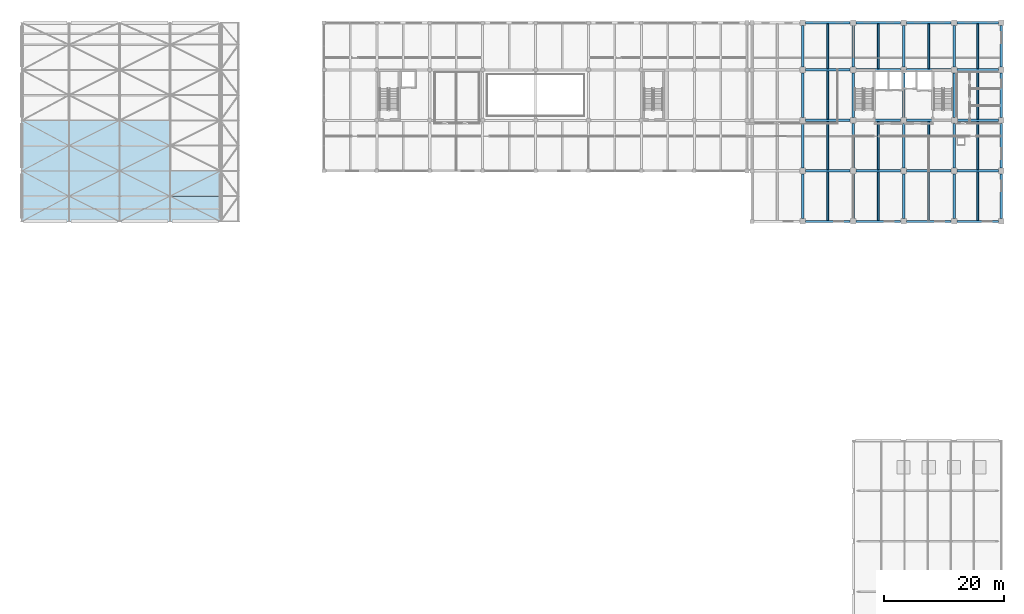
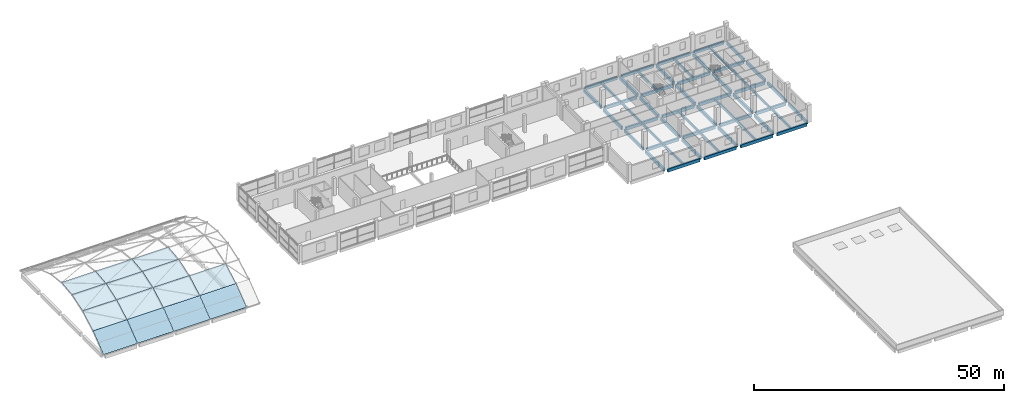
# One storey, part 21 of 38: 54 beams, 14 plates, 1 element without a shape of its own.
"""IFC4 building model written with IfcOpenShell, lengths in metres."""

from ifc_helpers import new_model, si_unit, direction, frame, origin, origin_2d, place, context, subcontext, project, spatial, polyline, rectangle, outline, extrude, material, layer, layer_set, material_profile, profile_set, type_object, element, aggregate, save


model = new_model("IFC4")

# Units and contexts
model_context = context("Model", 3, precision=1e-05, world=origin(), true_north=direction((0.0, 1.0)))
body_context = subcontext(model_context, "Body", "Model", "MODEL_VIEW")
ifc_project = project(units=[si_unit("LENGTHUNIT", "METRE"), si_unit("AREAUNIT", "SQUARE_METRE"), si_unit("VOLUMEUNIT", "CUBIC_METRE"), si_unit("PLANEANGLEUNIT", "RADIAN"), si_unit("MASSUNIT", "GRAM", prefix="KILO")], contexts=[model_context])

# Site, building, storey
site_placement = place(None, origin())
site = spatial("IfcSite", under=ifc_project, at=site_placement, CompositionType="ELEMENT")
building_placement = place(site_placement, origin())
building = spatial("IfcBuilding", under=site, at=building_placement, Name="Brinegate Botanical Conservatory", CompositionType="ELEMENT")
storey_placement = place(building_placement, frame((0.0, 0.0, 10.199951171875)))
storey = spatial("IfcBuildingStorey", under=building, at=storey_placement, Name="L03", CompositionType="ELEMENT", Elevation=10.199951171875)

# Beams
ifc_material_1 = material(Name="Concrete C50/60", Category="concrete")
ifc_material_profile_1 = material_profile(ifc_material_1, rectangle(XDim=0.39990234375, YDim=0.75, at=origin_2d()), Name="RC BM 400x750")
ifc_profile_set_1 = profile_set([ifc_material_profile_1], Name="Concrete C50/60")
beam_type_1 = type_object("IfcBeamType", Name="Beam_BM-T1", PredefinedType="BEAM", material=ifc_profile_set_1)
beam_1_placement = place(storey_placement, frame((130.89990234375, 86.800048828125, -0.594970703125), z_axis=(1.0, 0.0, 0.0), x_axis=(0.0, 1.0, 0.0)))
element("IfcBeam", 1, at=beam_1_placement, inside=storey, type_object=beam_type_1, Name="Beam BM-T1 L03 L:17-18", PredefinedType="BEAM", context=body_context, shape_type="SweptSolid", body=[
    extrude(rectangle(XDim=0.39990234375, YDim=0.75, at=origin_2d()), origin(), (0.0, 0.0, 1.0), 7.400146484375),
])
beam_2_placement = place(storey_placement, frame((139.300048828125, 86.800048828125, -0.594970703125), z_axis=(1.0, 0.0, 0.0), x_axis=(0.0, 1.0, 0.0)))
element("IfcBeam", 2, at=beam_2_placement, inside=storey, type_object=beam_type_1, Name="Beam BM-T1 L03 L:18-19", PredefinedType="BEAM", context=body_context, shape_type="SweptSolid", body=[
    extrude(rectangle(XDim=0.39990234375, YDim=0.75, at=origin_2d()), origin(), (0.0, 0.0, 1.0), 7.39990234375),
])
beam_3_placement = place(storey_placement, frame((147.699951171875, 86.800048828125, -0.594970703125), z_axis=(1.0, 0.0, 0.0), x_axis=(0.0, 1.0, 0.0)))
element("IfcBeam", 3, at=beam_3_placement, inside=storey, type_object=beam_type_1, Name="Beam BM-T1 L03 L:19-20", PredefinedType="BEAM", context=body_context, shape_type="SweptSolid", body=[
    extrude(rectangle(XDim=0.39990234375, YDim=0.75, at=origin_2d()), origin(), (0.0, 0.0, 1.0), 7.400146484375),
])
beam_4_placement = place(storey_placement, frame((156.10009765625, 86.800048828125, -0.594970703125), z_axis=(1.0, 0.0, 0.0), x_axis=(0.0, 1.0, 0.0)))
element("IfcBeam", 4, at=beam_4_placement, inside=storey, type_object=beam_type_1, Name="Beam BM-T1 L03 L:20-21", PredefinedType="BEAM", context=body_context, shape_type="SweptSolid", body=[
    extrude(rectangle(XDim=0.39990234375, YDim=0.75, at=origin_2d()), origin(), (0.0, 0.0, 1.0), 6.849853515625),
])
beam_5_placement = place(storey_placement, frame((130.89990234375, 95.199951171875, -0.594970703125), z_axis=(1.0, 0.0, 0.0), x_axis=(0.0, 1.0, 0.0)))
element("IfcBeam", 5, at=beam_5_placement, inside=storey, type_object=beam_type_1, Name="Beam BM-T1 L03 M:17-18", PredefinedType="BEAM", context=body_context, shape_type="SweptSolid", body=[
    extrude(rectangle(XDim=0.39990234375, YDim=0.75, at=origin_2d()), origin(), (0.0, 0.0, 1.0), 7.400146484375),
])
beam_6_placement = place(storey_placement, frame((139.300048828125, 95.199951171875, -0.594970703125), z_axis=(1.0, 0.0, 0.0), x_axis=(0.0, 1.0, 0.0)))
element("IfcBeam", 6, at=beam_6_placement, inside=storey, type_object=beam_type_1, Name="Beam BM-T1 L03 M:18-19", PredefinedType="BEAM", context=body_context, shape_type="SweptSolid", body=[
    extrude(rectangle(XDim=0.39990234375, YDim=0.75, at=origin_2d()), origin(), (0.0, 0.0, 1.0), 7.39990234375),
])
beam_7_placement = place(storey_placement, frame((147.699951171875, 95.199951171875, -0.594970703125), z_axis=(1.0, 0.0, 0.0), x_axis=(0.0, 1.0, 0.0)))
element("IfcBeam", 7, at=beam_7_placement, inside=storey, type_object=beam_type_1, Name="Beam BM-T1 L03 M:19-20", PredefinedType="BEAM", context=body_context, shape_type="SweptSolid", body=[
    extrude(rectangle(XDim=0.39990234375, YDim=0.75, at=origin_2d()), origin(), (0.0, 0.0, 1.0), 7.400146484375),
])
beam_8_placement = place(storey_placement, frame((156.10009765625, 95.199951171875, -0.594970703125), z_axis=(1.0, 0.0, 0.0), x_axis=(0.0, 1.0, 0.0)))
element("IfcBeam", 8, at=beam_8_placement, inside=storey, type_object=beam_type_1, Name="Beam BM-T1 L03 M:20-21", PredefinedType="BEAM", context=body_context, shape_type="SweptSolid", body=[
    extrude(rectangle(XDim=0.39990234375, YDim=0.75, at=origin_2d()), origin(), (0.0, 0.0, 1.0), 6.849853515625),
])
beam_9_placement = place(storey_placement, frame((130.89990234375, 103.60009765625, -0.594970703125), z_axis=(1.0, 0.0, 0.0), x_axis=(0.0, 1.0, 0.0)))
element("IfcBeam", 9, at=beam_9_placement, inside=storey, type_object=beam_type_1, Name="Beam BM-T1 L03 N:17-18", PredefinedType="BEAM", context=body_context, shape_type="SweptSolid", body=[
    extrude(rectangle(XDim=0.39990234375, YDim=0.75, at=origin_2d()), origin(), (0.0, 0.0, 1.0), 7.400146484375),
])
beam_10_placement = place(storey_placement, frame((139.300048828125, 103.60009765625, -0.594970703125), z_axis=(1.0, 0.0, 0.0), x_axis=(0.0, 1.0, 0.0)))
element("IfcBeam", 10, at=beam_10_placement, inside=storey, type_object=beam_type_1, Name="Beam BM-T1 L03 N:18-19", PredefinedType="BEAM", context=body_context, shape_type="SweptSolid", body=[
    extrude(rectangle(XDim=0.39990234375, YDim=0.75, at=origin_2d()), origin(), (0.0, 0.0, 1.0), 7.39990234375),
])
beam_11_placement = place(storey_placement, frame((147.699951171875, 103.60009765625, -0.594970703125), z_axis=(1.0, 0.0, 0.0), x_axis=(0.0, 1.0, 0.0)))
element("IfcBeam", 11, at=beam_11_placement, inside=storey, type_object=beam_type_1, Name="Beam BM-T1 L03 N:19-20", PredefinedType="BEAM", context=body_context, shape_type="SweptSolid", body=[
    extrude(rectangle(XDim=0.39990234375, YDim=0.75, at=origin_2d()), origin(), (0.0, 0.0, 1.0), 7.400146484375),
])
beam_12_placement = place(storey_placement, frame((156.10009765625, 103.60009765625, -0.594970703125), z_axis=(1.0, 0.0, 0.0), x_axis=(0.0, 1.0, 0.0)))
element("IfcBeam", 12, at=beam_12_placement, inside=storey, type_object=beam_type_1, Name="Beam BM-T1 L03 N:20-21", PredefinedType="BEAM", context=body_context, shape_type="SweptSolid", body=[
    extrude(rectangle(XDim=0.39990234375, YDim=0.75, at=origin_2d()), origin(), (0.0, 0.0, 1.0), 6.849853515625),
])
beam_13_placement = place(storey_placement, frame((130.39990234375, 78.89990234375, -0.594970703125), z_axis=(0.0, 1.0, 0.0), x_axis=(-1.0, 0.0, 0.0)))
element("IfcBeam", 13, at=beam_13_placement, inside=storey, type_object=beam_type_1, Name="Beam BM-T1 L03 17:K-L", PredefinedType="BEAM", context=body_context, shape_type="SweptSolid", body=[
    extrude(rectangle(XDim=0.39990234375, YDim=0.75, at=origin_2d()), origin(), (0.0, 0.0, 1.0), 7.400146484375),
])
beam_14_placement = place(storey_placement, frame((130.39990234375, 87.300048828125, -0.594970703125), z_axis=(0.0, 1.0, 0.0), x_axis=(-1.0, 0.0, 0.0)))
element("IfcBeam", 14, at=beam_14_placement, inside=storey, type_object=beam_type_1, Name="Beam BM-T1 L03 17:L-M", PredefinedType="BEAM", context=body_context, shape_type="SweptSolid", body=[
    extrude(rectangle(XDim=0.39990234375, YDim=0.75, at=origin_2d()), origin(), (0.0, 0.0, 1.0), 7.39990234375),
])
beam_15_placement = place(storey_placement, frame((130.39990234375, 95.699951171875, -0.594970703125), z_axis=(0.0, 1.0, 0.0), x_axis=(-1.0, 0.0, 0.0)))
element("IfcBeam", 15, at=beam_15_placement, inside=storey, type_object=beam_type_1, Name="Beam BM-T1 L03 17:M-N", PredefinedType="BEAM", context=body_context, shape_type="SweptSolid", body=[
    extrude(rectangle(XDim=0.39990234375, YDim=0.75, at=origin_2d()), origin(), (0.0, 0.0, 1.0), 7.400146484375),
])
beam_16_placement = place(storey_placement, frame((130.39990234375, 104.10009765625, -0.594970703125), z_axis=(0.0, 1.0, 0.0), x_axis=(-1.0, 0.0, 0.0)))
element("IfcBeam", 16, at=beam_16_placement, inside=storey, type_object=beam_type_1, Name="Beam BM-T1 L03 17:N-P", PredefinedType="BEAM", context=body_context, shape_type="SweptSolid", body=[
    extrude(rectangle(XDim=0.39990234375, YDim=0.75, at=origin_2d()), origin(), (0.0, 0.0, 1.0), 6.849853515625),
])
beam_17_placement = place(storey_placement, frame((138.800048828125, 78.89990234375, -0.594970703125), z_axis=(0.0, 1.0, 0.0), x_axis=(-1.0, 0.0, 0.0)))
element("IfcBeam", 17, at=beam_17_placement, inside=storey, type_object=beam_type_1, Name="Beam BM-T1 L03 18:K-L", PredefinedType="BEAM", context=body_context, shape_type="SweptSolid", body=[
    extrude(rectangle(XDim=0.39990234375, YDim=0.75, at=origin_2d()), origin(), (0.0, 0.0, 1.0), 7.400146484375),
])
beam_18_placement = place(storey_placement, frame((138.800048828125, 87.300048828125, -0.594970703125), z_axis=(0.0, 1.0, 0.0), x_axis=(-1.0, 0.0, 0.0)))
element("IfcBeam", 18, at=beam_18_placement, inside=storey, type_object=beam_type_1, Name="Beam BM-T1 L03 18:L-M", PredefinedType="BEAM", context=body_context, shape_type="SweptSolid", body=[
    extrude(rectangle(XDim=0.39990234375, YDim=0.75, at=origin_2d()), origin(), (0.0, 0.0, 1.0), 7.39990234375),
])
beam_19_placement = place(storey_placement, frame((138.800048828125, 95.699951171875, -0.594970703125), z_axis=(0.0, 1.0, 0.0), x_axis=(-1.0, 0.0, 0.0)))
element("IfcBeam", 19, at=beam_19_placement, inside=storey, type_object=beam_type_1, Name="Beam BM-T1 L03 18:M-N", PredefinedType="BEAM", context=body_context, shape_type="SweptSolid", body=[
    extrude(rectangle(XDim=0.39990234375, YDim=0.75, at=origin_2d()), origin(), (0.0, 0.0, 1.0), 7.400146484375),
])
beam_20_placement = place(storey_placement, frame((138.800048828125, 104.10009765625, -0.594970703125), z_axis=(0.0, 1.0, 0.0), x_axis=(-1.0, 0.0, 0.0)))
element("IfcBeam", 20, at=beam_20_placement, inside=storey, type_object=beam_type_1, Name="Beam BM-T1 L03 18:N-P", PredefinedType="BEAM", context=body_context, shape_type="SweptSolid", body=[
    extrude(rectangle(XDim=0.39990234375, YDim=0.75, at=origin_2d()), origin(), (0.0, 0.0, 1.0), 6.849853515625),
])
beam_21_placement = place(storey_placement, frame((147.199951171875, 78.89990234375, -0.594970703125), z_axis=(0.0, 1.0, 0.0), x_axis=(-1.0, 0.0, 0.0)))
element("IfcBeam", 21, at=beam_21_placement, inside=storey, type_object=beam_type_1, Name="Beam BM-T1 L03 19:K-L", PredefinedType="BEAM", context=body_context, shape_type="SweptSolid", body=[
    extrude(rectangle(XDim=0.39990234375, YDim=0.75, at=origin_2d()), origin(), (0.0, 0.0, 1.0), 7.400146484375),
])
beam_22_placement = place(storey_placement, frame((147.199951171875, 87.300048828125, -0.594970703125), z_axis=(0.0, 1.0, 0.0), x_axis=(-1.0, 0.0, 0.0)))
element("IfcBeam", 22, at=beam_22_placement, inside=storey, type_object=beam_type_1, Name="Beam BM-T1 L03 19:L-M", PredefinedType="BEAM", context=body_context, shape_type="SweptSolid", body=[
    extrude(rectangle(XDim=0.39990234375, YDim=0.75, at=origin_2d()), origin(), (0.0, 0.0, 1.0), 7.39990234375),
])
beam_23_placement = place(storey_placement, frame((147.199951171875, 95.699951171875, -0.594970703125), z_axis=(0.0, 1.0, 0.0), x_axis=(-1.0, 0.0, 0.0)))
element("IfcBeam", 23, at=beam_23_placement, inside=storey, type_object=beam_type_1, Name="Beam BM-T1 L03 19:M-N", PredefinedType="BEAM", context=body_context, shape_type="SweptSolid", body=[
    extrude(rectangle(XDim=0.39990234375, YDim=0.75, at=origin_2d()), origin(), (0.0, 0.0, 1.0), 7.400146484375),
])
beam_24_placement = place(storey_placement, frame((147.199951171875, 104.10009765625, -0.594970703125), z_axis=(0.0, 1.0, 0.0), x_axis=(-1.0, 0.0, 0.0)))
element("IfcBeam", 24, at=beam_24_placement, inside=storey, type_object=beam_type_1, Name="Beam BM-T1 L03 19:N-P", PredefinedType="BEAM", context=body_context, shape_type="SweptSolid", body=[
    extrude(rectangle(XDim=0.39990234375, YDim=0.75, at=origin_2d()), origin(), (0.0, 0.0, 1.0), 6.849853515625),
])
beam_25_placement = place(storey_placement, frame((155.60009765625, 78.89990234375, -0.594970703125), z_axis=(0.0, 1.0, 0.0), x_axis=(-1.0, 0.0, 0.0)))
element("IfcBeam", 25, at=beam_25_placement, inside=storey, type_object=beam_type_1, Name="Beam BM-T1 L03 20:K-L", PredefinedType="BEAM", context=body_context, shape_type="SweptSolid", body=[
    extrude(rectangle(XDim=0.39990234375, YDim=0.75, at=origin_2d()), origin(), (0.0, 0.0, 1.0), 7.400146484375),
])
beam_26_placement = place(storey_placement, frame((155.60009765625, 87.300048828125, -0.594970703125), z_axis=(0.0, 1.0, 0.0), x_axis=(-1.0, 0.0, 0.0)))
element("IfcBeam", 26, at=beam_26_placement, inside=storey, type_object=beam_type_1, Name="Beam BM-T1 L03 20:L-M", PredefinedType="BEAM", context=body_context, shape_type="SweptSolid", body=[
    extrude(rectangle(XDim=0.39990234375, YDim=0.75, at=origin_2d()), origin(), (0.0, 0.0, 1.0), 7.39990234375),
])
beam_27_placement = place(storey_placement, frame((155.60009765625, 95.699951171875, -0.594970703125), z_axis=(0.0, 1.0, 0.0), x_axis=(-1.0, 0.0, 0.0)))
element("IfcBeam", 27, at=beam_27_placement, inside=storey, type_object=beam_type_1, Name="Beam BM-T1 L03 20:M-N", PredefinedType="BEAM", context=body_context, shape_type="SweptSolid", body=[
    extrude(rectangle(XDim=0.39990234375, YDim=0.75, at=origin_2d()), origin(), (0.0, 0.0, 1.0), 7.400146484375),
])
beam_28_placement = place(storey_placement, frame((155.60009765625, 104.10009765625, -0.594970703125), z_axis=(0.0, 1.0, 0.0), x_axis=(-1.0, 0.0, 0.0)))
element("IfcBeam", 28, at=beam_28_placement, inside=storey, type_object=beam_type_1, Name="Beam BM-T1 L03 20:N-P", PredefinedType="BEAM", context=body_context, shape_type="SweptSolid", body=[
    extrude(rectangle(XDim=0.39990234375, YDim=0.75, at=origin_2d()), origin(), (0.0, 0.0, 1.0), 6.849853515625),
])
ifc_material_2 = material(Name="Concrete C40/50", Category="concrete")
ifc_material_profile_2 = material_profile(ifc_material_2, rectangle(XDim=0.300048828125, YDim=0.550048828125, at=origin_2d()), Name="RC JST 300x550")
ifc_profile_set_2 = profile_set([ifc_material_profile_2], Name="Concrete C40/50")
beam_type_2 = type_object("IfcBeamType", Name="Beam_JS-C1", PredefinedType="JOIST", material=ifc_profile_set_2)
beam_29_placement = place(storey_placement, frame((134.60009765625, 78.574951171875, -0.494873046875), z_axis=(0.0, 1.0, 0.0), x_axis=(-1.0, 0.0, 0.0)))
element("IfcBeam", 29, at=beam_29_placement, inside=storey, type_object=beam_type_2, Name="Floor joist JS-C1 L03 bay 17.10", PredefinedType="JOIST", context=body_context, shape_type="SweptSolid", body=[
    extrude(rectangle(XDim=0.300048828125, YDim=0.550048828125, at=origin_2d()), origin(), (0.0, 0.0, 1.0), 8.025146484375),
])
for number, where, z_axis, x_axis, name in (
    (30, (134.60009765625, 87.0, -0.494873046875), (0.0, 1.0, 0.0), (-1.0, 0.0, 0.0), "Floor joist JS-C1 L03 bay 17.11"),
    (31, (134.60009765625, 95.39990234375, -0.494873046875), (0.0, 1.0, 0.0), (-1.0, 0.0, 0.0), "Floor joist JS-C1 L03 bay 17.12"),
):
    element("IfcBeam", number, at=place(storey_placement, frame(where, z_axis=z_axis, x_axis=x_axis)), inside=storey, type_object=beam_type_2, Name=name, PredefinedType="JOIST", context=body_context, shape_type="SweptSolid", body=[
        extrude(rectangle(XDim=0.300048828125, YDim=0.550048828125, at=origin_2d()), origin(), (0.0, 0.0, 1.0), 8.0),
    ])
beam_30_placement = place(storey_placement, frame((134.60009765625, 103.800048828125, -0.494873046875), z_axis=(0.0, 1.0, 0.0), x_axis=(-1.0, 0.0, 0.0)))
element("IfcBeam", 32, at=beam_30_placement, inside=storey, type_object=beam_type_2, Name="Floor joist JS-C1 L03 bay 17.13", PredefinedType="JOIST", context=body_context, shape_type="SweptSolid", body=[
    extrude(rectangle(XDim=0.300048828125, YDim=0.550048828125, at=origin_2d()), origin(), (0.0, 0.0, 1.0), 7.474853515625),
])
beam_31_placement = place(storey_placement, frame((143.0, 78.574951171875, -0.494873046875), z_axis=(0.0, 1.0, 0.0), x_axis=(-1.0, 0.0, 0.0)))
element("IfcBeam", 33, at=beam_31_placement, inside=storey, type_object=beam_type_2, Name="Floor joist JS-C1 L03 bay 18.10", PredefinedType="JOIST", context=body_context, shape_type="SweptSolid", body=[
    extrude(rectangle(XDim=0.300048828125, YDim=0.550048828125, at=origin_2d()), origin(), (0.0, 0.0, 1.0), 8.025146484375),
])
beam_32_placement = place(storey_placement, frame((143.0, 87.0, -0.494873046875), z_axis=(0.0, 1.0, 0.0), x_axis=(-1.0, 0.0, 0.0)))
element("IfcBeam", 34, at=beam_32_placement, inside=storey, type_object=beam_type_2, Name="Floor joist JS-C1 L03 bay 18.11", PredefinedType="JOIST", context=body_context, shape_type="SweptSolid", body=[
    extrude(rectangle(XDim=0.300048828125, YDim=0.550048828125, at=origin_2d()), origin(), (0.0, 0.0, 1.0), 8.0),
])
beam_33_placement = place(storey_placement, frame((143.0, 103.800048828125, -0.494873046875), z_axis=(0.0, 1.0, 0.0), x_axis=(-1.0, 0.0, 0.0)))
element("IfcBeam", 35, at=beam_33_placement, inside=storey, type_object=beam_type_2, Name="Floor joist JS-C1 L03 bay 18.13", PredefinedType="JOIST", context=body_context, shape_type="SweptSolid", body=[
    extrude(rectangle(XDim=0.300048828125, YDim=0.550048828125, at=origin_2d()), origin(), (0.0, 0.0, 1.0), 7.474853515625),
])
beam_34_placement = place(storey_placement, frame((151.39990234375, 78.574951171875, -0.494873046875), z_axis=(0.0, 1.0, 0.0), x_axis=(-1.0, 0.0, 0.0)))
element("IfcBeam", 36, at=beam_34_placement, inside=storey, type_object=beam_type_2, Name="Floor joist JS-C1 L03 bay 19.10", PredefinedType="JOIST", context=body_context, shape_type="SweptSolid", body=[
    extrude(rectangle(XDim=0.300048828125, YDim=0.550048828125, at=origin_2d()), origin(), (0.0, 0.0, 1.0), 8.025146484375),
])
beam_35_placement = place(storey_placement, frame((151.39990234375, 87.0, -0.494873046875), z_axis=(0.0, 1.0, 0.0), x_axis=(-1.0, 0.0, 0.0)))
element("IfcBeam", 37, at=beam_35_placement, inside=storey, type_object=beam_type_2, Name="Floor joist JS-C1 L03 bay 19.11", PredefinedType="JOIST", context=body_context, shape_type="SweptSolid", body=[
    extrude(rectangle(XDim=0.300048828125, YDim=0.550048828125, at=origin_2d()), origin(), (0.0, 0.0, 1.0), 8.0),
])
beam_36_placement = place(storey_placement, frame((151.39990234375, 103.800048828125, -0.494873046875), z_axis=(0.0, 1.0, 0.0), x_axis=(-1.0, 0.0, 0.0)))
element("IfcBeam", 38, at=beam_36_placement, inside=storey, type_object=beam_type_2, Name="Floor joist JS-C1 L03 bay 19.13", PredefinedType="JOIST", context=body_context, shape_type="SweptSolid", body=[
    extrude(rectangle(XDim=0.300048828125, YDim=0.550048828125, at=origin_2d()), origin(), (0.0, 0.0, 1.0), 7.474853515625),
])
beam_37_placement = place(storey_placement, frame((159.52490234375, 78.574951171875, -0.494873046875), z_axis=(0.0, 1.0, 0.0), x_axis=(-1.0, 0.0, 0.0)))
element("IfcBeam", 39, at=beam_37_placement, inside=storey, type_object=beam_type_2, Name="Floor joist JS-C1 L03 bay 20.10", PredefinedType="JOIST", context=body_context, shape_type="SweptSolid", body=[
    extrude(rectangle(XDim=0.300048828125, YDim=0.550048828125, at=origin_2d()), origin(), (0.0, 0.0, 1.0), 8.025146484375),
])
for number, where, z_axis, x_axis, name in (
    (40, (159.52490234375, 87.0, -0.494873046875), (0.0, 1.0, 0.0), (-1.0, 0.0, 0.0), "Floor joist JS-C1 L03 bay 20.11"),
    (41, (159.52490234375, 95.39990234375, -0.494873046875), (0.0, 1.0, 0.0), (-1.0, 0.0, 0.0), "Floor joist JS-C1 L03 bay 20.12"),
):
    element("IfcBeam", number, at=place(storey_placement, frame(where, z_axis=z_axis, x_axis=x_axis)), inside=storey, type_object=beam_type_2, Name=name, PredefinedType="JOIST", context=body_context, shape_type="SweptSolid", body=[
        extrude(rectangle(XDim=0.300048828125, YDim=0.550048828125, at=origin_2d()), origin(), (0.0, 0.0, 1.0), 8.0),
    ])
beam_38_placement = place(storey_placement, frame((159.52490234375, 103.800048828125, -0.494873046875), z_axis=(0.0, 1.0, 0.0), x_axis=(-1.0, 0.0, 0.0)))
element("IfcBeam", 42, at=beam_38_placement, inside=storey, type_object=beam_type_2, Name="Floor joist JS-C1 L03 bay 20.13", PredefinedType="JOIST", context=body_context, shape_type="SweptSolid", body=[
    extrude(rectangle(XDim=0.300048828125, YDim=0.550048828125, at=origin_2d()), origin(), (0.0, 0.0, 1.0), 7.474853515625),
])
ifc_material_profile_3 = material_profile(ifc_material_2, rectangle(XDim=0.35009765625, YDim=0.75, at=origin_2d()), Name="RC SPN 350x750")
ifc_profile_set_3 = profile_set([ifc_material_profile_3], Name="Concrete C40/50")
beam_type_3 = type_object("IfcBeamType", Name="Beam_SP-01", PredefinedType="SPANDREL", material=ifc_profile_set_3)
beam_39_placement = place(storey_placement, frame((130.89990234375, 78.39990234375, -0.594970703125), z_axis=(1.0, 0.0, 0.0), x_axis=(0.0, 1.0, 0.0)))
element("IfcBeam", 43, at=beam_39_placement, inside=storey, type_object=beam_type_3, Name="Beam SP-01 L03 K:17-18", PredefinedType="SPANDREL", context=body_context, shape_type="SweptSolid", body=[
    extrude(rectangle(XDim=0.35009765625, YDim=0.75, at=origin_2d()), origin(), (0.0, 0.0, 1.0), 7.400146484375),
])
beam_40_placement = place(storey_placement, frame((139.300048828125, 78.39990234375, -0.594970703125), z_axis=(1.0, 0.0, 0.0), x_axis=(0.0, 1.0, 0.0)))
element("IfcBeam", 44, at=beam_40_placement, inside=storey, type_object=beam_type_3, Name="Beam SP-01 L03 K:18-19", PredefinedType="SPANDREL", context=body_context, shape_type="SweptSolid", body=[
    extrude(rectangle(XDim=0.35009765625, YDim=0.75, at=origin_2d()), origin(), (0.0, 0.0, 1.0), 7.39990234375),
])
beam_41_placement = place(storey_placement, frame((147.699951171875, 78.39990234375, -0.594970703125), z_axis=(1.0, 0.0, 0.0), x_axis=(0.0, 1.0, 0.0)))
element("IfcBeam", 45, at=beam_41_placement, inside=storey, type_object=beam_type_3, Name="Beam SP-01 L03 K:19-20", PredefinedType="SPANDREL", context=body_context, shape_type="SweptSolid", body=[
    extrude(rectangle(XDim=0.35009765625, YDim=0.75, at=origin_2d()), origin(), (0.0, 0.0, 1.0), 7.400146484375),
])
beam_42_placement = place(storey_placement, frame((156.10009765625, 78.39990234375, -0.594970703125), z_axis=(1.0, 0.0, 0.0), x_axis=(0.0, 1.0, 0.0)))
element("IfcBeam", 46, at=beam_42_placement, inside=storey, type_object=beam_type_3, Name="Beam SP-01 L03 K:20-21", PredefinedType="SPANDREL", context=body_context, shape_type="SweptSolid", body=[
    extrude(rectangle(XDim=0.35009765625, YDim=0.75, at=origin_2d()), origin(), (0.0, 0.0, 1.0), 6.849853515625),
])
beam_43_placement = place(storey_placement, frame((130.89990234375, 111.449951171875, -0.594970703125), z_axis=(1.0, 0.0, 0.0), x_axis=(0.0, 1.0, 0.0)))
element("IfcBeam", 47, at=beam_43_placement, inside=storey, type_object=beam_type_3, Name="Beam SP-01 L03 P:17-18", PredefinedType="SPANDREL", context=body_context, shape_type="SweptSolid", body=[
    extrude(rectangle(XDim=0.35009765625, YDim=0.75, at=origin_2d()), origin(), (0.0, 0.0, 1.0), 7.400146484375),
])
beam_44_placement = place(storey_placement, frame((139.300048828125, 111.449951171875, -0.594970703125), z_axis=(1.0, 0.0, 0.0), x_axis=(0.0, 1.0, 0.0)))
element("IfcBeam", 48, at=beam_44_placement, inside=storey, type_object=beam_type_3, Name="Beam SP-01 L03 P:18-19", PredefinedType="SPANDREL", context=body_context, shape_type="SweptSolid", body=[
    extrude(rectangle(XDim=0.35009765625, YDim=0.75, at=origin_2d()), origin(), (0.0, 0.0, 1.0), 7.39990234375),
])
beam_45_placement = place(storey_placement, frame((147.699951171875, 111.449951171875, -0.594970703125), z_axis=(1.0, 0.0, 0.0), x_axis=(0.0, 1.0, 0.0)))
element("IfcBeam", 49, at=beam_45_placement, inside=storey, type_object=beam_type_3, Name="Beam SP-01 L03 P:19-20", PredefinedType="SPANDREL", context=body_context, shape_type="SweptSolid", body=[
    extrude(rectangle(XDim=0.35009765625, YDim=0.75, at=origin_2d()), origin(), (0.0, 0.0, 1.0), 7.400146484375),
])
beam_46_placement = place(storey_placement, frame((156.10009765625, 111.449951171875, -0.594970703125), z_axis=(1.0, 0.0, 0.0), x_axis=(0.0, 1.0, 0.0)))
element("IfcBeam", 50, at=beam_46_placement, inside=storey, type_object=beam_type_3, Name="Beam SP-01 L03 P:20-21", PredefinedType="SPANDREL", context=body_context, shape_type="SweptSolid", body=[
    extrude(rectangle(XDim=0.35009765625, YDim=0.75, at=origin_2d()), origin(), (0.0, 0.0, 1.0), 6.849853515625),
])
beam_47_placement = place(storey_placement, frame((163.449951171875, 78.89990234375, -0.594970703125), z_axis=(0.0, 1.0, 0.0), x_axis=(-1.0, 0.0, 0.0)))
element("IfcBeam", 51, at=beam_47_placement, inside=storey, type_object=beam_type_3, Name="Beam SP-01 L03 21:K-L", PredefinedType="SPANDREL", context=body_context, shape_type="SweptSolid", body=[
    extrude(rectangle(XDim=0.35009765625, YDim=0.75, at=origin_2d()), origin(), (0.0, 0.0, 1.0), 7.400146484375),
])
beam_48_placement = place(storey_placement, frame((163.449951171875, 87.300048828125, -0.594970703125), z_axis=(0.0, 1.0, 0.0), x_axis=(-1.0, 0.0, 0.0)))
element("IfcBeam", 52, at=beam_48_placement, inside=storey, type_object=beam_type_3, Name="Beam SP-01 L03 21:L-M", PredefinedType="SPANDREL", context=body_context, shape_type="SweptSolid", body=[
    extrude(rectangle(XDim=0.35009765625, YDim=0.75, at=origin_2d()), origin(), (0.0, 0.0, 1.0), 7.39990234375),
])
beam_49_placement = place(storey_placement, frame((163.449951171875, 95.699951171875, -0.594970703125), z_axis=(0.0, 1.0, 0.0), x_axis=(-1.0, 0.0, 0.0)))
element("IfcBeam", 53, at=beam_49_placement, inside=storey, type_object=beam_type_3, Name="Beam SP-01 L03 21:M-N", PredefinedType="SPANDREL", context=body_context, shape_type="SweptSolid", body=[
    extrude(rectangle(XDim=0.35009765625, YDim=0.75, at=origin_2d()), origin(), (0.0, 0.0, 1.0), 7.400146484375),
])
beam_50_placement = place(storey_placement, frame((163.449951171875, 104.10009765625, -0.594970703125), z_axis=(0.0, 1.0, 0.0), x_axis=(-1.0, 0.0, 0.0)))
element("IfcBeam", 54, at=beam_50_placement, inside=storey, type_object=beam_type_3, Name="Beam SP-01 L03 21:N-P", PredefinedType="SPANDREL", context=body_context, shape_type="SweptSolid", body=[
    extrude(rectangle(XDim=0.35009765625, YDim=0.75, at=origin_2d()), origin(), (0.0, 0.0, 1.0), 6.849853515625),
])

# Roof, plates
ifc_material_3 = material(Name="Structural steel Q355B / S355", Category="steel")
roof_type = type_object("IfcRoofType", Name="Roof_BARREL", PredefinedType="BARREL_ROOF", material=ifc_material_3)
roof_placement = place(storey_placement, origin())
roof = element("IfcRoof", 55, at=roof_placement, inside=storey, type_object=roof_type, Name="Conservatory tubular steel barrel-vault gridshell roof", PredefinedType="BARREL_ROOF")
ifc_material_4 = material(Name="Laminated Low-E safety glass 24 mm", Category="glass")
ifc_layer = layer(ifc_material_4, 0.02392578125, Name="Laminated Low-E safety glass 24 mm", Category="glass")
ifc_layer_set = layer_set([ifc_layer], Name="Laminated Low-E safety glass 24 mm")
plate_type = type_object("IfcPlateType", Name="Plate_GLZ24", PredefinedType="SHEET", material=ifc_layer_set)
plate_1_placement = place(storey_placement, frame((0.550048828125, 78.39990234375, 0.0), z_axis=(0.0, -0.615626264049, 0.788038262404), x_axis=(1.0, 0.0, 0.0)))
plate_1 = element("IfcPlate", 56, at=plate_1_placement, type_object=plate_type, Name="Conservatory roof glazing panel 1.1", PredefinedType="SHEET", context=body_context, shape_type="SweptSolid", body=[
    extrude(outline(polyline([(0.0, 0.0), (7.849853515625, 0.0), (7.849853515625, 5.3299382947316545), (0.0, 5.3299382947316545), (0.0, 0.0)])), origin(), (0.0, 0.0, 1.0), 0.02392578125),
])
plate_2_placement = place(storey_placement, frame((0.550048828125, 82.60009765625, 3.28125), z_axis=(0.0, -0.487301351866, 0.873233870432), x_axis=(1.0, 0.0, 0.0)))
plate_2 = element("IfcPlate", 57, at=plate_2_placement, type_object=plate_type, Name="Conservatory roof glazing panel 1.2", PredefinedType="SHEET", context=body_context, shape_type="SweptSolid", body=[
    extrude(outline(polyline([(0.0, 0.0), (7.849853515625, 0.0), (7.849853515625, 4.809652160877561), (0.0, 4.809652160877561), (0.0, 0.0)])), origin(), (0.0, 0.0, 1.0), 0.02392578125),
])
plate_3_placement = place(storey_placement, frame((0.550048828125, 86.800048828125, 5.625), z_axis=(0.0, -0.317500791646, 0.948258006718), x_axis=(1.0, 0.0, 0.0)))
plate_3 = element("IfcPlate", 58, at=plate_3_placement, type_object=plate_type, Name="Conservatory roof glazing panel 1.3", PredefinedType="SHEET", context=body_context, shape_type="SweptSolid", body=[
    extrude(outline(polyline([(0.0, 0.0), (7.849853515625, 0.0), (7.849853515625, 4.429122814805905), (0.0, 4.429122814805905), (0.0, 0.0)])), origin(), (0.0, 0.0, 1.0), 0.02392578125),
])
plate_4_placement = place(storey_placement, frame((0.550048828125, 91.0, 7.03125), z_axis=(0.0, -0.110919745625, 0.993829366657), x_axis=(1.0, 0.0, 0.0)))
plate_4 = element("IfcPlate", 59, at=plate_4_placement, type_object=plate_type, Name="Conservatory roof glazing panel 1.4", PredefinedType="SHEET", context=body_context, shape_type="SweptSolid", body=[
    extrude(outline(polyline([(0.0, 0.0), (7.849853515625, 0.0), (7.849853515625, 4.22602844389791), (0.0, 4.22602844389791), (0.0, 0.0)])), origin(), (0.0, 0.0, 1.0), 0.02392578125),
])
plate_5_placement = place(storey_placement, frame((8.39990234375, 78.39990234375, 0.0), z_axis=(0.0, -0.615626264049, 0.788038262404), x_axis=(1.0, 0.0, 0.0)))
plate_5 = element("IfcPlate", 60, at=plate_5_placement, type_object=plate_type, Name="Conservatory roof glazing panel 2.1", PredefinedType="SHEET", context=body_context, shape_type="SweptSolid", body=[
    extrude(outline(polyline([(0.0, 0.0), (8.400146484375, 0.0), (8.400146484375, 5.3299382947316545), (0.0, 5.3299382947316545), (0.0, 0.0)])), origin(), (0.0, 0.0, 1.0), 0.02392578125),
])
plate_6_placement = place(storey_placement, frame((8.39990234375, 82.60009765625, 3.28125), z_axis=(0.0, -0.487301351866, 0.873233870432), x_axis=(1.0, 0.0, 0.0)))
plate_6 = element("IfcPlate", 61, at=plate_6_placement, type_object=plate_type, Name="Conservatory roof glazing panel 2.2", PredefinedType="SHEET", context=body_context, shape_type="SweptSolid", body=[
    extrude(outline(polyline([(0.0, 0.0), (8.400146484375, 0.0), (8.400146484375, 4.80965216087756), (0.0, 4.80965216087756), (0.0, 0.0)])), origin(), (0.0, 0.0, 1.0), 0.02392578125),
])
plate_7_placement = place(storey_placement, frame((8.39990234375, 86.800048828125, 5.625), z_axis=(0.0, -0.317500791646, 0.948258006718), x_axis=(1.0, 0.0, 0.0)))
plate_7 = element("IfcPlate", 62, at=plate_7_placement, type_object=plate_type, Name="Conservatory roof glazing panel 2.3", PredefinedType="SHEET", context=body_context, shape_type="SweptSolid", body=[
    extrude(outline(polyline([(0.0, 0.0), (8.400146484375, 0.0), (8.400146484375, 4.429122814805905), (0.0, 4.429122814805905), (0.0, 0.0)])), origin(), (0.0, 0.0, 1.0), 0.02392578125),
])
plate_8_placement = place(storey_placement, frame((8.39990234375, 91.0, 7.03125), z_axis=(0.0, -0.110919745625, 0.993829366657), x_axis=(1.0, 0.0, 0.0)))
plate_8 = element("IfcPlate", 63, at=plate_8_placement, type_object=plate_type, Name="Conservatory roof glazing panel 2.4", PredefinedType="SHEET", context=body_context, shape_type="SweptSolid", body=[
    extrude(outline(polyline([(0.0, 0.0), (8.400146484375, 0.0), (8.400146484375, 4.22602844389791), (0.0, 4.22602844389791), (0.0, 0.0)])), origin(), (0.0, 0.0, 1.0), 0.02392578125),
])
plate_9_placement = place(storey_placement, frame((16.800048828125, 78.39990234375, 0.0), z_axis=(0.0, -0.615626264049, 0.788038262404), x_axis=(1.0, 0.0, 0.0)))
plate_9 = element("IfcPlate", 64, at=plate_9_placement, type_object=plate_type, Name="Conservatory roof glazing panel 3.1", PredefinedType="SHEET", context=body_context, shape_type="SweptSolid", body=[
    extrude(outline(polyline([(0.0, 0.0), (8.39990234375, 0.0), (8.39990234375, 5.3299382947316545), (0.0, 5.3299382947316545), (0.0, 0.0)])), origin(), (0.0, 0.0, 1.0), 0.02392578125),
])
plate_10_placement = place(storey_placement, frame((16.800048828125, 82.60009765625, 3.28125), z_axis=(0.0, -0.487301351866, 0.873233870432), x_axis=(1.0, 0.0, 0.0)))
plate_10 = element("IfcPlate", 65, at=plate_10_placement, type_object=plate_type, Name="Conservatory roof glazing panel 3.2", PredefinedType="SHEET", context=body_context, shape_type="SweptSolid", body=[
    extrude(outline(polyline([(0.0, 0.0), (8.39990234375, 0.0), (8.39990234375, 4.809652160877561), (0.0, 4.809652160877561), (0.0, 0.0)])), origin(), (0.0, 0.0, 1.0), 0.02392578125),
])
plate_11_placement = place(storey_placement, frame((16.800048828125, 86.800048828125, 5.625), z_axis=(0.0, -0.317500791646, 0.948258006718), x_axis=(1.0, 0.0, 0.0)))
plate_11 = element("IfcPlate", 66, at=plate_11_placement, type_object=plate_type, Name="Conservatory roof glazing panel 3.3", PredefinedType="SHEET", context=body_context, shape_type="SweptSolid", body=[
    extrude(outline(polyline([(0.0, 0.0), (8.39990234375, 0.0), (8.39990234375, 4.429122814805906), (0.0, 4.429122814805906), (0.0, 0.0)])), origin(), (0.0, 0.0, 1.0), 0.02392578125),
])
plate_12_placement = place(storey_placement, frame((16.800048828125, 91.0, 7.03125), z_axis=(0.0, -0.110919745625, 0.993829366657), x_axis=(1.0, 0.0, 0.0)))
plate_12 = element("IfcPlate", 67, at=plate_12_placement, type_object=plate_type, Name="Conservatory roof glazing panel 3.4", PredefinedType="SHEET", context=body_context, shape_type="SweptSolid", body=[
    extrude(outline(polyline([(0.0, 0.0), (8.39990234375, 0.0), (8.39990234375, 4.22602844389791), (0.0, 4.22602844389791), (0.0, 0.0)])), origin(), (0.0, 0.0, 1.0), 0.02392578125),
])
plate_13_placement = place(storey_placement, frame((25.199951171875, 78.39990234375, 0.0), z_axis=(0.0, -0.615626264049, 0.788038262404), x_axis=(1.0, 0.0, 0.0)))
plate_13 = element("IfcPlate", 68, at=plate_13_placement, type_object=plate_type, Name="Conservatory roof glazing panel 4.1", PredefinedType="SHEET", context=body_context, shape_type="SweptSolid", body=[
    extrude(outline(polyline([(0.0, 0.0), (8.400146484375, 0.0), (8.400146484375, 5.3299382947316545), (0.0, 5.3299382947316545), (0.0, 0.0)])), origin(), (0.0, 0.0, 1.0), 0.02392578125),
])
plate_14_placement = place(storey_placement, frame((25.199951171875, 82.60009765625, 3.28125), z_axis=(0.0, -0.487301351866, 0.873233870432), x_axis=(1.0, 0.0, 0.0)))
plate_14 = element("IfcPlate", 69, at=plate_14_placement, type_object=plate_type, Name="Conservatory roof glazing panel 4.2", PredefinedType="SHEET", context=body_context, shape_type="SweptSolid", body=[
    extrude(outline(polyline([(0.0, 0.0), (8.400146484375, 0.0), (8.400146484375, 4.80965216087756), (0.0, 4.80965216087756), (0.0, 0.0)])), origin(), (0.0, 0.0, 1.0), 0.02392578125),
])
aggregate(roof, [plate_1, plate_2, plate_3, plate_4, plate_5, plate_6, plate_7, plate_8, plate_9, plate_10, plate_11, plate_12, plate_13, plate_14])

save(model, "model.ifc")
